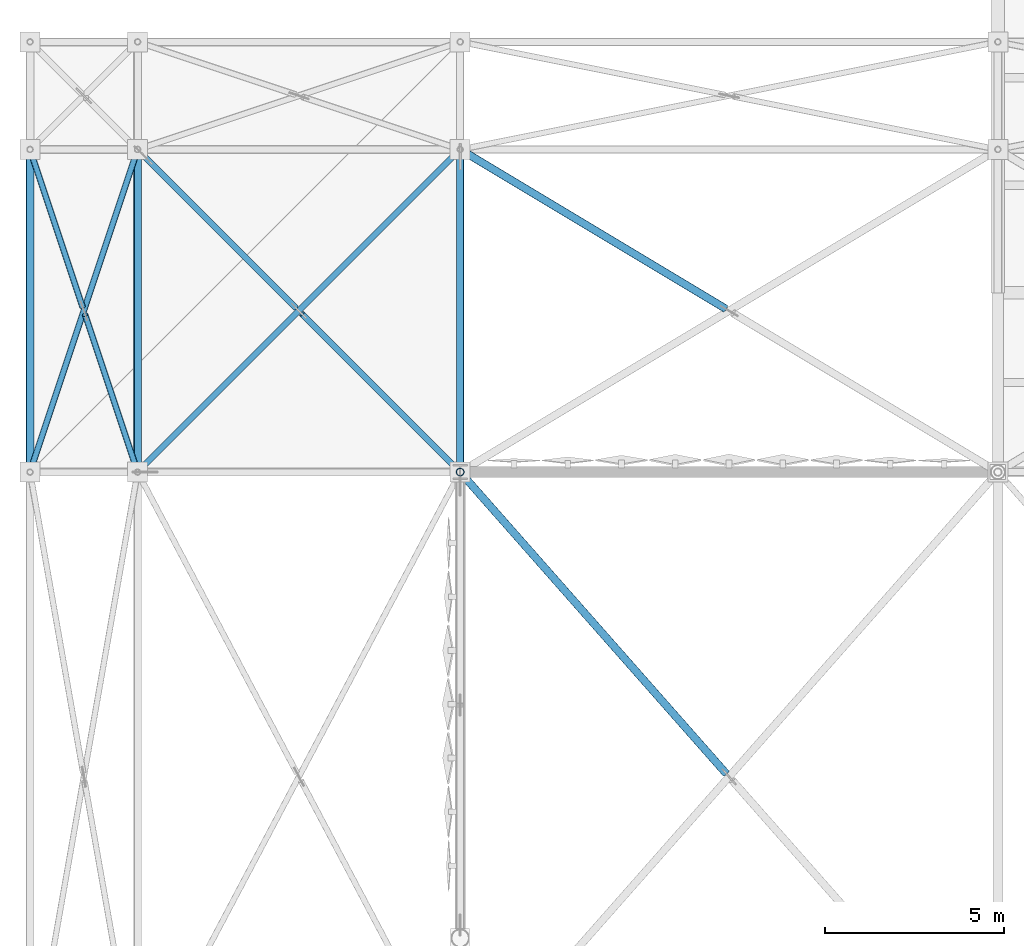
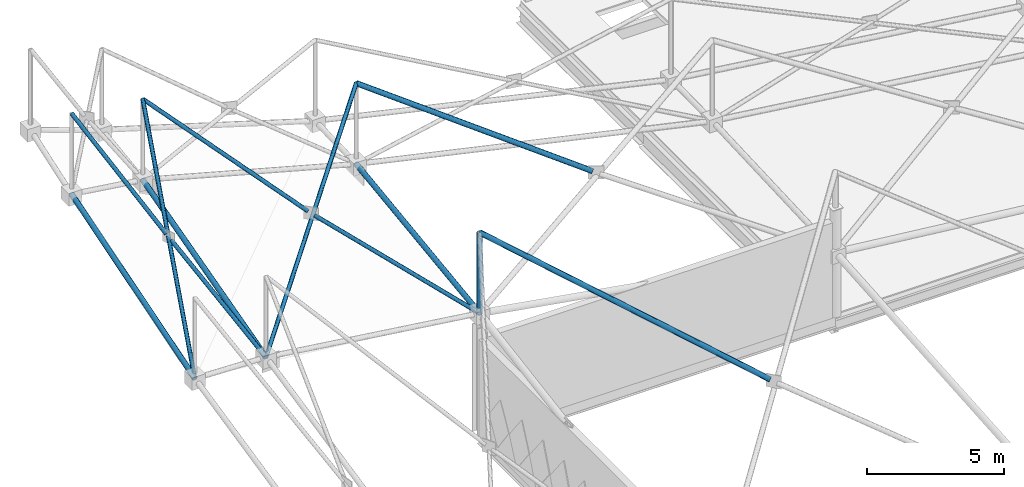
# One storey, part 84 of 224: 12 members.
"""IFC4 building model written with IfcOpenShell, lengths in metres."""

import ifcopenshell
import ifcopenshell.guid

model = None  # the IFC model being written
_history = None  # IfcOwnerHistory: only IFC2X3 demands one
_inside = {}  # id of a spatial element -> (the spatial element, [elements in it])
_under = {}  # id of a project, library or spatial element -> (it, [spatial elements below it])
_declared = {}  # id of a project -> (the project, [libraries it declares])
_typed = {}  # id of a type object -> (the type object, [elements of that type])
_made_of = {}  # id of a material, layer set ... -> (it, [elements and type objects made of it])


def new_model(schema):
    """Start an empty IFC model of exactly this schema.

    Asked for "IFC4X3", IfcOpenShell would pick the latest addendum, in which some entities
    have other attributes; the version numbers below select the first issue.
    IFC2X3 requires an IfcOwnerHistory on every rooted entity: one is made here for all.
    """
    global model, _history
    if schema == "IFC4X3":
        model = ifcopenshell.file(schema_version=(4, 3, 0, 0))
    else:
        model = ifcopenshell.file(schema=schema)
    _inside.clear()
    _under.clear()
    _declared.clear()
    _typed.clear()
    _made_of.clear()
    _history = None
    if model.schema == "IFC2X3":
        org = make("IfcOrganization", Name="unknown")
        user = make(
            "IfcPersonAndOrganization",
            ThePerson=make("IfcPerson", FamilyName="unknown"),
            TheOrganization=org,
        )
        app = make(
            "IfcApplication",
            ApplicationDeveloper=org,
            Version="unknown",
            ApplicationFullName="unknown",
            ApplicationIdentifier="unknown",
        )
        _history = make(
            "IfcOwnerHistory",
            OwningUser=user,
            OwningApplication=app,
            ChangeAction="ADDED",
            CreationDate=0,
        )
    return model


def make(cls, **values):
    """One entity of the class cls with the attributes given. An attribute that is None is left unset."""
    return model.create_entity(
        cls, **{name: value for name, value in values.items() if value is not None}
    )


def rooted(cls, **values):
    """An entity with a GlobalId (a new one), such as an element, a storey or a relation."""
    return make(cls, GlobalId=ifcopenshell.guid.new(), OwnerHistory=_history, **values)


def si_unit(unit_type, name, prefix=None):
    """IfcSIUnit, for example si_unit("LENGTHUNIT", "METRE", prefix="MILLI")."""
    return make("IfcSIUnit", UnitType=unit_type, Prefix=prefix, Name=name)


def assignment(units):
    """IfcUnitAssignment: the units of a project."""
    return None if units is None else make("IfcUnitAssignment", Units=units)


def point(xyz):
    """IfcCartesianPoint."""
    return None if xyz is None else make("IfcCartesianPoint", Coordinates=xyz)


def direction(xyz):
    """IfcDirection."""
    return None if xyz is None else make("IfcDirection", DirectionRatios=xyz)


def frame(location, z_axis=None, x_axis=None):
    """IfcAxis2Placement3D, a coordinate frame: its origin and axes. An axis left out is left unset."""
    return make(
        "IfcAxis2Placement3D",
        Location=point(location),
        Axis=direction(z_axis),
        RefDirection=direction(x_axis),
    )


def frame_2d(location, x_axis=None):
    """IfcAxis2Placement2D, a coordinate frame in the plane: its origin and x axis."""
    return make(
        "IfcAxis2Placement2D", Location=point(location), RefDirection=direction(x_axis)
    )


def origin():
    """The frame at (0, 0, 0) with its axes left unset."""
    return frame((0.0, 0.0, 0.0))


def origin_2d():
    """The frame at (0, 0) in the plane with its x axis left unset."""
    return frame_2d((0.0, 0.0))


def place(relative_to, where):
    """IfcLocalPlacement: puts the frame where relative to a parent placement (None: the world)."""
    return make(
        "IfcLocalPlacement", PlacementRelTo=relative_to, RelativePlacement=where
    )


def context(
    kind, dimensions, precision=None, world=None, true_north=None, identifier=None
):
    """IfcGeometricRepresentationContext, for example the 3D "Model" context."""
    return make(
        "IfcGeometricRepresentationContext",
        ContextIdentifier=identifier,
        ContextType=kind,
        CoordinateSpaceDimension=dimensions,
        Precision=precision,
        WorldCoordinateSystem=world,
        TrueNorth=true_north,
    )


def subcontext(parent, identifier, kind, view, scale=None):
    """IfcGeometricRepresentationSubContext, for example "Body" below "Model"."""
    return make(
        "IfcGeometricRepresentationSubContext",
        ContextIdentifier=identifier,
        ContextType=kind,
        ParentContext=parent,
        TargetScale=scale,
        TargetView=view,
    )


def project(units=None, contexts=None):
    """IfcProject with its units and contexts."""
    return rooted(
        "IfcProject",
        Name="project",
        RepresentationContexts=contexts,
        UnitsInContext=assignment(units),
    )


def spatial(cls, under=None, at=None, **own):
    """A site, building, storey or space (cls), placed at a placement, below another one or the project."""
    s = rooted(cls, ObjectPlacement=at, **own)
    if under is not None:
        _under.setdefault(under.id(), (under, []))[1].append(s)
    return s


def profile(cls, at=None, kind="AREA", **sizes):
    """A parametric profile (cls). Its sizes go by their IFC names, for example OverallWidth=200.0."""
    return make(cls, ProfileType=kind, Position=at, **sizes)


def hollow_circle(**sizes):
    """IfcCircleHollowProfileDef."""
    return profile("IfcCircleHollowProfileDef", **sizes)


def extrude(swept, where, along, depth):
    """IfcExtrudedAreaSolid: the profile swept, set in the frame where, extruded along a direction by depth."""
    return make(
        "IfcExtrudedAreaSolid",
        SweptArea=swept,
        Position=where,
        ExtrudedDirection=direction(along),
        Depth=depth,
    )


def shape(context_of_items, identifier, shape_type, items):
    """IfcShapeRepresentation: the items that make up one representation, for example the "Body"."""
    return make(
        "IfcShapeRepresentation",
        ContextOfItems=context_of_items,
        RepresentationIdentifier=identifier,
        RepresentationType=shape_type,
        Items=items,
    )


def material(Name=None, Category=None):
    """IfcMaterial."""
    return make("IfcMaterial", Name=Name, Category=Category)


def material_profile(
    of_material, cross_section, Name=None, Category=None, Priority=None
):
    """IfcMaterialProfile: a cross section and its material."""
    return make(
        "IfcMaterialProfile",
        Name=Name,
        Material=of_material,
        Profile=cross_section,
        Priority=Priority,
        Category=Category,
    )


def profile_set(profiles, Name=None, composite=None):
    """IfcMaterialProfileSet."""
    return make(
        "IfcMaterialProfileSet",
        Name=Name,
        MaterialProfiles=profiles,
        CompositeProfile=composite,
    )


def made_of(thing, what):
    """Note that an element or type object is made of a material, layer set ...; save() writes the relation."""
    if what is not None:
        _made_of.setdefault(what.id(), (what, []))[1].append(thing)
    return thing


def type_object(cls, material=None, **own):
    """A type object (cls), such as IfcWallType, which elements share."""
    return made_of(rooted(cls, **own), material)


def element(
    cls,
    number,
    at=None,
    inside=None,
    cuts=None,
    type_object=None,
    material=None,
    context=None,
    identifier="Body",
    shape_type=None,
    held_by="IfcProductDefinitionShape",
    body=None,
    shapes=None,
    **own,
):
    """One element of the class cls, such as IfcWall. Its Tag is "e" and its number.

    at: its placement. inside: the storey or other place that contains it. cuts: it is an
    opening in that element (IfcRelVoidsElement). A single representation is given by context,
    identifier, shape_type and body (its items); several are given by shapes. held_by: the class
    of the entity that holds the representations. save() writes the other relations.
    """
    e = rooted(cls, Tag="e%d" % number, ObjectPlacement=at, **own)
    if body is not None:
        shapes = [shape(context, identifier, shape_type, body)]
    if shapes is not None:
        e.Representation = make(held_by, Representations=shapes)
    if inside is not None:
        _inside.setdefault(inside.id(), (inside, []))[1].append(e)
    if cuts is not None:
        rooted(
            "IfcRelVoidsElement", RelatingBuildingElement=cuts, RelatedOpeningElement=e
        )
    if type_object is not None:
        _typed.setdefault(type_object.id(), (type_object, []))[1].append(e)
    return made_of(e, material)


def aggregate(whole, parts):
    """IfcRelAggregates: a whole, such as a stair, and the parts it consists of."""
    return rooted("IfcRelAggregates", RelatingObject=whole, RelatedObjects=parts)


def save(model, path):
    """Write the relations noted so far, then the file.

    IfcRelAggregates (storeys below a building ...), IfcRelContainedInSpatialStructure (elements
    in a storey), IfcRelDefinesByType, IfcRelAssociatesMaterial and IfcRelDeclares: one each for
    every whole, place, type object, material and project.
    """
    for whole, parts in _under.values():
        aggregate(whole, parts)
    for where, things in _inside.values():
        rooted(
            "IfcRelContainedInSpatialStructure",
            RelatedElements=things,
            RelatingStructure=where,
        )
    for kind, things in _typed.values():
        rooted("IfcRelDefinesByType", RelatedObjects=things, RelatingType=kind)
    for what, things in _made_of.values():
        rooted("IfcRelAssociatesMaterial", RelatedObjects=things, RelatingMaterial=what)
    for by, libraries in _declared.values():
        rooted("IfcRelDeclares", RelatingContext=by, RelatedDefinitions=libraries)
    model.write(path)


model = new_model("IFC4")

# Units and contexts
model_context = context("Model", 3, precision=1e-05, world=origin(), true_north=direction((0.0, 1.0)))
body_context = subcontext(model_context, "Body", "Model", "MODEL_VIEW")
ifc_project = project(units=[si_unit("LENGTHUNIT", "METRE"), si_unit("AREAUNIT", "SQUARE_METRE"), si_unit("VOLUMEUNIT", "CUBIC_METRE"), si_unit("PLANEANGLEUNIT", "RADIAN"), si_unit("MASSUNIT", "GRAM", prefix="KILO")], contexts=[model_context])

# Site, building, storey
site_placement = place(None, origin())
site = spatial("IfcSite", under=ifc_project, at=site_placement, CompositionType="ELEMENT")
building_placement = place(site_placement, origin())
building = spatial("IfcBuilding", under=site, at=building_placement, Name="Qamarlyn Nura Convention Centre", CompositionType="ELEMENT")
storey_placement = place(building_placement, frame((0.0, 0.0, 10.800048828125)))
storey = spatial("IfcBuildingStorey", under=building, at=storey_placement, Name="L02", CompositionType="ELEMENT", Elevation=10.800048828125)

# Members
ifc_material = material(Name="Pearl-white PVDF steel ASTM A500 Grade C", Category="steel")
ifc_material_profile_1 = material_profile(ifc_material, hollow_circle(Radius=0.109619140625, WallThickness=0.010009765625, at=origin_2d()), Name="CHS219.1X10")
ifc_profile_set_1 = profile_set([ifc_material_profile_1], Name="Pearl-white PVDF steel ASTM A500 Grade C")
member_type_1 = type_object("IfcMemberType", Name="SF-BC-EAVE", PredefinedType="CHORD", material=ifc_profile_set_1)
member_1_placement = place(storey_placement, frame((-12.0, 103.0, 6.607421875), z_axis=(0.0, 0.956184693556, 0.29276412316), x_axis=(-1.0, 0.0, 0.0)))
element("IfcMember", 1, at=member_1_placement, inside=storey, type_object=member_type_1, Name="ROOF TRUSS space frame bottom chord Y0-7", PredefinedType="CHORD", context=body_context, shape_type="SweptSolid", body=[
    extrude(hollow_circle(Radius=0.109619140625, WallThickness=0.010009765625, at=origin_2d()), origin(), (0.0, 0.0, 1.0), 9.412353515625),
])
member_2_placement = place(storey_placement, frame((-9.0, 103.0, 6.505615234375), z_axis=(0.0, 0.965021310393, 0.262171452463), x_axis=(-1.0, 0.0, 0.0)))
element("IfcMember", 2, at=member_2_placement, inside=storey, type_object=member_type_1, Name="ROOF TRUSS space frame bottom chord Y1-7", PredefinedType="CHORD", context=body_context, shape_type="SweptSolid", body=[
    extrude(hollow_circle(Radius=0.109619140625, WallThickness=0.010009765625, at=origin_2d()), origin(), (0.0, 0.0, 1.0), 9.326171875),
])
member_3_placement = place(storey_placement, frame((0.0, 103.0, 5.314208984375), z_axis=(0.0, 0.991351473464, 0.131233593492), x_axis=(-1.0, 0.0, 0.0)))
element("IfcMember", 3, at=member_3_placement, inside=storey, type_object=member_type_1, Name="ROOF TRUSS space frame bottom chord Y2-7", PredefinedType="CHORD", context=body_context, shape_type="SweptSolid", body=[
    extrude(hollow_circle(Radius=0.109619140625, WallThickness=0.010009765625, at=origin_2d()), origin(), (0.0, 0.0, 1.0), 9.07861328125),
])
ifc_material_profile_2 = material_profile(ifc_material, hollow_circle(Radius=0.109619140625, WallThickness=0.010009765625, at=origin_2d()), Name="CHS219.1X10")
ifc_profile_set_2 = profile_set([ifc_material_profile_2], Name="Pearl-white PVDF steel ASTM A500 Grade C")
member_type_2 = type_object("IfcMemberType", Name="SF-WEB-HVY", PredefinedType="BRACE", material=ifc_profile_set_2)
member_4_placement = place(storey_placement, frame((7.412109375, 94.599853515625, 4.85546875), z_axis=(-0.622067332778, 0.704989154113, 0.340620795128), x_axis=(-0.749828315594, -0.661632448671, 0.0)))
element("IfcMember", 4, at=member_4_placement, inside=storey, type_object=member_type_2, Name="ROOF TRUSS space frame split diagonal B2 2-6", PredefinedType="BRACE", context=body_context, shape_type="SweptSolid", body=[
    extrude(hollow_circle(Radius=0.109619140625, WallThickness=0.010009765625, at=origin_2d()), origin(), (0.0, 0.0, 1.0), 11.915283203125),
])
member_5_placement = place(storey_placement, frame((0.0, 103.0, 5.314208984375), z_axis=(0.0, 0.0, 1.0), x_axis=(1.0, 0.0, 0.0)))
element("IfcMember", 5, at=member_5_placement, inside=storey, type_object=member_type_2, Name="ROOF TRUSS space frame vertical 2-7", PredefinedType="BRACE", context=body_context, shape_type="SweptSolid", body=[
    extrude(hollow_circle(Radius=0.109619140625, WallThickness=0.010009765625, at=origin_2d()), origin(), (0.0, 0.0, 1.0), 3.599853515625),
])
member_6_placement = place(storey_placement, frame((7.389404296875, 107.56640625, 6.2939453125), z_axis=(-0.784202687892, 0.470516430836, 0.404524946841), x_axis=(-0.514491589093, -0.8574954255, 0.0)))
element("IfcMember", 6, at=member_6_placement, inside=storey, type_object=member_type_2, Name="ROOF TRUSS space frame split diagonal B2 2-7", PredefinedType="BRACE", context=body_context, shape_type="SweptSolid", body=[
    extrude(hollow_circle(Radius=0.109619140625, WallThickness=0.010009765625, at=origin_2d()), origin(), (0.0, 0.0, 1.0), 9.4228515625),
])
ifc_material_profile_3 = material_profile(ifc_material, hollow_circle(Radius=0.084228515625, WallThickness=0.008056640625, at=origin_2d()), Name="CHS168.3X8")
ifc_profile_set_3 = profile_set([ifc_material_profile_3], Name="Pearl-white PVDF steel ASTM A500 Grade C")
member_type_3 = type_object("IfcMemberType", Name="SF-WEB-STD", PredefinedType="BRACE", material=ifc_profile_set_3)
member_7_placement = place(storey_placement, frame((-12.0, 103.0, 6.607421875), z_axis=(0.267981591072, 0.803944773217, 0.530903633876), x_axis=(-0.948683298051, 0.316227766017, 0.0)))
element("IfcMember", 7, at=member_7_placement, inside=storey, type_object=member_type_3, Name="ROOF TRUSS space frame diagonal A 0-7", PredefinedType="BRACE", context=body_context, shape_type="SweptSolid", body=[
    extrude(hollow_circle(Radius=0.084228515625, WallThickness=0.008056640625, at=origin_2d()), origin(), (0.0, 0.0, 1.0), 11.19482421875),
])
member_8_placement = place(storey_placement, frame((-9.0, 103.0, 6.505615234375), z_axis=(-0.263453461016, 0.790360383049, 0.5531028284), x_axis=(-0.948683298051, -0.316227766017, 0.0)))
element("IfcMember", 8, at=member_8_placement, inside=storey, type_object=member_type_3, Name="ROOF TRUSS space frame split diagonal B1 0-7", PredefinedType="BRACE", context=body_context, shape_type="SweptSolid", body=[
    extrude(hollow_circle(Radius=0.084228515625, WallThickness=0.008056640625, at=origin_2d()), origin(), (0.0, 0.0, 1.0), 5.5546875),
])
member_9_placement = place(storey_placement, frame((-10.53662109375, 107.60986328125, 9.7353515625), z_axis=(-0.259373906494, 0.778121719483, 0.572059233209), x_axis=(-0.948683298051, -0.316227766017, 0.0)))
element("IfcMember", 9, at=member_9_placement, inside=storey, type_object=member_type_3, Name="ROOF TRUSS space frame split diagonal B2 0-7", PredefinedType="BRACE", context=body_context, shape_type="SweptSolid", body=[
    extrude(hollow_circle(Radius=0.084228515625, WallThickness=0.008056640625, at=origin_2d()), origin(), (0.0, 0.0, 1.0), 5.641845703125),
])
member_10_placement = place(storey_placement, frame((-9.0, 103.0, 6.505615234375), z_axis=(0.68041245021, 0.68041245021, 0.272172363032), x_axis=(-0.707106781187, 0.707106781187, 0.0)))
element("IfcMember", 10, at=member_10_placement, inside=storey, type_object=member_type_3, Name="ROOF TRUSS space frame diagonal A 1-7", PredefinedType="BRACE", context=body_context, shape_type="SweptSolid", body=[
    extrude(hollow_circle(Radius=0.084228515625, WallThickness=0.008056640625, at=origin_2d()), origin(), (0.0, 0.0, 1.0), 13.227294921875),
])
member_11_placement = place(storey_placement, frame((0.0, 103.0, 5.314208984375), z_axis=(-0.627779957559, 0.627779957559, 0.46020066251), x_axis=(-0.707106781187, -0.707106781187, 0.0)))
element("IfcMember", 11, at=member_11_placement, inside=storey, type_object=member_type_3, Name="ROOF TRUSS space frame split diagonal B1 1-7", PredefinedType="BRACE", context=body_context, shape_type="SweptSolid", body=[
    extrude(hollow_circle(Radius=0.084228515625, WallThickness=0.008056640625, at=origin_2d()), origin(), (0.0, 0.0, 1.0), 7.03076171875),
])
member_12_placement = place(storey_placement, frame((-4.586181640625, 107.586181640625, 8.688232421875), z_axis=(-0.601297091391, 0.601297091391, 0.526197316384), x_axis=(-0.707106781187, -0.707106781187, 0.0)))
element("IfcMember", 12, at=member_12_placement, inside=storey, type_object=member_type_3, Name="ROOF TRUSS space frame split diagonal B2 1-7", PredefinedType="BRACE", context=body_context, shape_type="SweptSolid", body=[
    extrude(hollow_circle(Radius=0.084228515625, WallThickness=0.008056640625, at=origin_2d()), origin(), (0.0, 0.0, 1.0), 7.340576171875),
])

save(model, "model.ifc")
